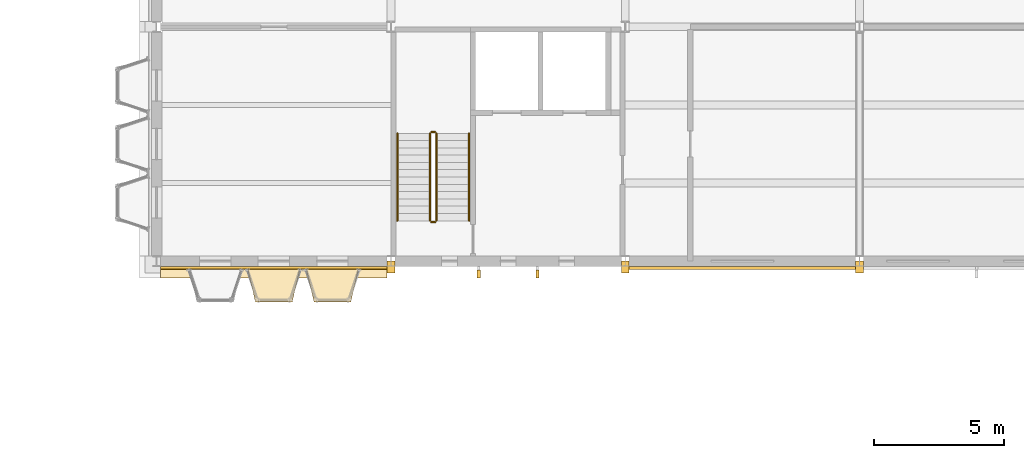
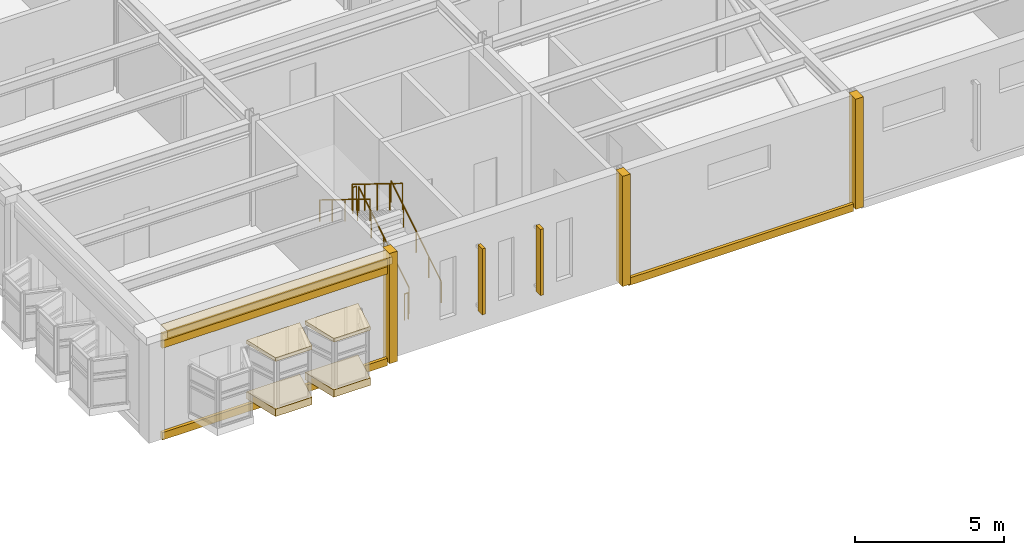
# One storey, part 133 of 153: 12 coverings, 6 railings, 2 shading devices.
"""IFC4 building model written with IfcOpenShell, lengths in metres."""

from ifc_helpers import new_model, si_unit, direction, frame, origin, origin_2d, place, context, subcontext, project, spatial, polyline, rectangle, circle, outline, extrude, material, layer, layer_set, type_object, element, save


model = new_model("IFC4")

# Units and contexts
model_context = context("Model", 3, precision=1e-05, world=origin(), true_north=direction((0.0, 1.0)))
body_context = subcontext(model_context, "Body", "Model", "MODEL_VIEW")
ifc_project = project(units=[si_unit("LENGTHUNIT", "METRE"), si_unit("AREAUNIT", "SQUARE_METRE"), si_unit("VOLUMEUNIT", "CUBIC_METRE"), si_unit("PLANEANGLEUNIT", "RADIAN"), si_unit("MASSUNIT", "GRAM", prefix="KILO")], contexts=[model_context])

# Site, building, storey
site_placement = place(None, origin())
site = spatial("IfcSite", under=ifc_project, at=site_placement, CompositionType="ELEMENT")
building_placement = place(site_placement, origin())
building = spatial("IfcBuilding", under=site, at=building_placement, Name="Kallimachos Central Library", CompositionType="ELEMENT")
storey_placement = place(building_placement, frame((0.0, 0.0, 5.39990234375)))
storey = spatial("IfcBuildingStorey", under=building, at=storey_placement, Name="L01", CompositionType="ELEMENT", Elevation=5.39990234375)

# Coverings
ifc_material_1 = material(Name="Glazed ceramic frieze, green")
ifc_layer_1 = layer(ifc_material_1, 0.10009765625)
ifc_layer_set_1 = layer_set([ifc_layer_1], Name="Glazed ceramic frieze, green")
covering_type_1 = type_object("IfcCoveringType", Name="Glazed ceramic frieze, green", PredefinedType="CLADDING", material=ifc_layer_set_1)
covering_1_placement = place(storey_placement, frame((70.0, 17.75, 3.8798828125), z_axis=(0.0, 0.0, 1.0), x_axis=(1.0, 0.0, 0.0)))
element("IfcCovering", 1, at=covering_1_placement, inside=storey, type_object=covering_type_1, Name="Glazed ceramic frieze, green -L01-010", PredefinedType="CLADDING", context=body_context, shape_type="SweptSolid", body=[
    extrude(rectangle(XDim=8.699951171875, YDim=0.10009765625, at=origin_2d()), origin(), (0.0, 0.0, 1.0), 0.300048828125),
])
ifc_material_2 = material(Name="Glazed ceramic frieze, ochre")
ifc_layer_2 = layer(ifc_material_2, 0.10009765625)
ifc_layer_set_2 = layer_set([ifc_layer_2], Name="Glazed ceramic frieze, ochre")
covering_type_2 = type_object("IfcCoveringType", Name="Glazed ceramic frieze, ochre", PredefinedType="CLADDING", material=ifc_layer_set_2)
covering_2_placement = place(storey_placement, frame((70.0, 17.75, 3.580078125), z_axis=(0.0, 0.0, 1.0), x_axis=(1.0, 0.0, 0.0)))
element("IfcCovering", 2, at=covering_2_placement, inside=storey, type_object=covering_type_2, Name="Glazed ceramic frieze, ochre -L01-010", PredefinedType="CLADDING", context=body_context, shape_type="SweptSolid", body=[
    extrude(rectangle(XDim=8.699951171875, YDim=0.10009765625, at=origin_2d()), origin(), (0.0, 0.0, 1.0), 0.300048828125),
])

# Railings
ifc_material_3 = material(Name="Steel S355J2", Category="steel")
railing_type_1 = type_object("IfcRailingType", Name="Stair handrail 900", PredefinedType="HANDRAIL", material=ifc_material_3)
railing_1_placement = place(storey_placement, frame((77.5, 19.550048828125, 0.173095703125)))
element("IfcRailing", 3, at=railing_1_placement, inside=storey, type_object=railing_type_1, Name="L01 ST13 stair handrail 1", PredefinedType="HANDRAIL", context=body_context, shape_type="SweptSolid", body=[
    extrude(circle(Radius=0.02392578125, at=origin_2d()), frame((0.0, 0.0, 0.8759765625), z_axis=(0.0, 0.850606129759, 0.525803396734), x_axis=(-1.0, 0.0, 0.0)), (0.0, 0.0, 1.0), 3.949951171875),
    extrude(circle(Radius=0.02099609375, at=origin_2d()), origin(), (0.0, 0.0, 1.0), 0.851806640625),
    extrude(circle(Radius=0.02099609375, at=origin_2d()), frame((0.0, 0.83984375, 0.519287109375)), (0.0, 0.0, 1.0), 0.851806640625),
    extrude(circle(Radius=0.02099609375, at=origin_2d()), frame((0.0, 1.679931640625, 1.03857421875)), (0.0, 0.0, 1.0), 0.851806640625),
    extrude(circle(Radius=0.02099609375, at=origin_2d()), frame((0.0, 2.52001953125, 1.5576171875)), (0.0, 0.0, 1.0), 0.851806640625),
    extrude(circle(Radius=0.02099609375, at=origin_2d()), frame((0.0, 3.35986328125, 2.076904296875)), (0.0, 0.0, 1.0), 0.851806640625),
])
railing_2_placement = place(storey_placement, frame((74.75, 22.909912109375, 2.423095703125)))
element("IfcRailing", 4, at=railing_2_placement, inside=storey, type_object=railing_type_1, Name="L01 ST13 stair handrail 2", PredefinedType="HANDRAIL", context=body_context, shape_type="SweptSolid", body=[
    extrude(circle(Radius=0.02392578125, at=origin_2d()), frame((0.0, 0.0, 0.8759765625), z_axis=(0.0, -0.850606129759, 0.525803396734), x_axis=(1.0, 0.0, 0.0)), (0.0, 0.0, 1.0), 3.949951171875),
    extrude(circle(Radius=0.02099609375, at=origin_2d()), origin(), (0.0, 0.0, 1.0), 0.851806640625),
    extrude(circle(Radius=0.02099609375, at=origin_2d()), frame((0.0, -0.83984375, 0.519287109375)), (0.0, 0.0, 1.0), 0.851806640625),
    extrude(circle(Radius=0.02099609375, at=origin_2d()), frame((0.0, -1.679931640625, 1.03857421875)), (0.0, 0.0, 1.0), 0.851806640625),
    extrude(circle(Radius=0.02099609375, at=origin_2d()), frame((0.0, -2.52001953125, 1.5576171875)), (0.0, 0.0, 1.0), 0.851806640625),
    extrude(circle(Radius=0.02099609375, at=origin_2d()), frame((0.0, -3.35986328125, 2.076904296875)), (0.0, 0.0, 1.0), 0.851806640625),
])

# Coverings
ifc_material_4 = material(Name="Pentelic marble attic moulding", Category="masonry")
ifc_layer_3 = layer(ifc_material_4, 0.1201171875)
ifc_layer_set_3 = layer_set([ifc_layer_3], Name="Stone attic moulding 300")
covering_type_3 = type_object("IfcCoveringType", Name="Stone attic moulding 300", PredefinedType="MOLDING", material=ifc_layer_set_3)
covering_3_placement = place(storey_placement, frame((70.0, 17.739990234375, -0.14990234375), z_axis=(0.0, 0.0, 1.0), x_axis=(1.0, 0.0, 0.0)))
element("IfcCovering", 5, at=covering_3_placement, inside=storey, type_object=covering_type_3, Name="Stone attic moulding 300 -L01-010", PredefinedType="MOLDING", context=body_context, shape_type="SweptSolid", body=[
    extrude(rectangle(XDim=8.699951171875, YDim=0.1201171875, at=origin_2d()), origin(), (0.0, 0.0, 1.0), 0.300048828125),
])
ifc_material_5 = material(Name="Pentelic marble cornice", Category="masonry")
ifc_layer_4 = layer(ifc_material_5, 0.449951171875)
ifc_layer_set_4 = layer_set([ifc_layer_4], Name="Stone cornice 450")
covering_type_4 = type_object("IfcCoveringType", Name="Stone cornice 450", PredefinedType="MOLDING", material=ifc_layer_set_4)
covering_4_placement = place(storey_placement, frame((70.0, 17.574951171875, 4.2001953125), z_axis=(0.0, 0.0, 1.0), x_axis=(1.0, 0.0, 0.0)))
element("IfcCovering", 6, at=covering_4_placement, inside=storey, type_object=covering_type_4, Name="Stone cornice 450 -L01-010", PredefinedType="MOLDING", context=body_context, shape_type="SweptSolid", body=[
    extrude(rectangle(XDim=8.699951171875, YDim=0.449951171875, at=origin_2d()), origin(), (0.0, 0.0, 1.0), 0.300048828125),
])
ifc_material_6 = material(Name="Pentelic marble pilaster", Category="masonry")
ifc_layer_5 = layer(ifc_material_6, 0.25)
ifc_layer_set_5 = layer_set([ifc_layer_5], Name="Stone pilaster 250")
covering_type_5 = type_object("IfcCoveringType", Name="Stone pilaster 250", PredefinedType="CLADDING", material=ifc_layer_set_5)
for number, where, z_axis, x_axis, name in (
    (7, (74.5, 17.77490234375, 0.0), (0.0, 0.0, 1.0), (1.0, 0.0, 0.0), "Stone pilaster 250 -L01-010"),
    (8, (83.5, 17.77490234375, 0.0), (0.0, 0.0, 1.0), (1.0, 0.0, 0.0), "Stone pilaster 250 -L01-011"),
    (9, (92.5, 17.77490234375, 0.0), (0.0, 0.0, 1.0), (1.0, 0.0, 0.0), "Stone pilaster 250 -L01-012"),
):
    element("IfcCovering", number, at=place(storey_placement, frame(where, z_axis=z_axis, x_axis=x_axis)), inside=storey, type_object=covering_type_5, Name=name, PredefinedType="CLADDING", context=body_context, shape_type="SweptSolid", body=[
        extrude(rectangle(XDim=0.300048828125, YDim=0.449951171875, at=origin_2d()), origin(), (0.0, 0.0, 1.0), 4.5),
    ])
ifc_material_7 = material(Name="Pentelic marble string course", Category="masonry")
ifc_layer_6 = layer(ifc_material_7, 0.1201171875)
ifc_layer_set_6 = layer_set([ifc_layer_6], Name="Stone string course 300")
covering_type_6 = type_object("IfcCoveringType", Name="Stone string course 300", PredefinedType="MOLDING", material=ifc_layer_set_6)
covering_5_placement = place(storey_placement, frame((88.0, 17.739990234375, -0.14990234375), z_axis=(0.0, 0.0, 1.0), x_axis=(1.0, 0.0, 0.0)))
element("IfcCovering", 10, at=covering_5_placement, inside=storey, type_object=covering_type_6, Name="Stone string course 300 -L01-012", PredefinedType="MOLDING", context=body_context, shape_type="SweptSolid", body=[
    extrude(rectangle(XDim=8.699951171875, YDim=0.1201171875, at=origin_2d()), origin(), (0.0, 0.0, 1.0), 0.300048828125),
])

# Shading devices
ifc_material_8 = material(Name="Pentelic marble fin", Category="masonry")
ifc_layer_7 = layer(ifc_material_8, 0.1201171875)
ifc_layer_set_7 = layer_set([ifc_layer_7], Name="Stone sun-shade fin 120")
shading_device_type = type_object("IfcShadingDeviceType", Name="Stone sun-shade fin 120", PredefinedType="USERDEFINED", material=ifc_layer_set_7)
for number, where, z_axis, x_axis, name in (
    (11, (77.875, 17.5, 0.89990234375), (0.0, 0.0, 1.0), (1.0, 0.0, 0.0), "Stone sun-shade fin 120 -L01-011"),
    (12, (80.125, 17.5, 0.89990234375), (0.0, 0.0, 1.0), (1.0, 0.0, 0.0), "Stone sun-shade fin 120 -L01-011"),
):
    element("IfcShadingDevice", number, at=place(storey_placement, frame(where, z_axis=z_axis, x_axis=x_axis)), inside=storey, type_object=shading_device_type, Name=name, ObjectType="FIN", PredefinedType="USERDEFINED", context=body_context, shape_type="SweptSolid", body=[
        extrude(rectangle(XDim=0.1201171875, YDim=0.300048828125, at=origin_2d()), origin(), (0.0, 0.0, 1.0), 2.699951171875),
    ])

# Coverings
ifc_material_9 = material(Name="Lead-coated copper sheet")
ifc_layer_8 = layer(ifc_material_9, 0.14990234375)
ifc_layer_set_8 = layer_set([ifc_layer_8], Name="Tribune bay roof cap 150")
covering_type_7 = type_object("IfcCoveringType", Name="Tribune bay roof cap 150", PredefinedType="ROOFING", material=ifc_layer_set_8)
covering_6_placement = place(storey_placement, frame((0.0, 0.0, 2.550048828125)))
element("IfcCovering", 13, at=covering_6_placement, inside=storey, type_object=covering_type_7, Name="Tribune bay roof cap", PredefinedType="ROOFING", context=body_context, shape_type="SweptSolid", body=[
    extrude(outline(polyline([(68.97509765625, 17.800048828125), (71.02490234375, 17.800048828125), (70.705078125, 16.419921875), (69.294921875, 16.419921875), (68.97509765625, 17.800048828125)])), origin(), (0.0, 0.0, 1.0), 0.150146484375),
])
covering_7_placement = place(storey_placement, frame((0.0, 0.0, 2.550048828125)))
element("IfcCovering", 14, at=covering_7_placement, inside=storey, type_object=covering_type_7, Name="Tribune bay roof cap", PredefinedType="ROOFING", context=body_context, shape_type="SweptSolid", body=[
    extrude(outline(polyline([(71.22509765625, 17.800048828125), (73.27490234375, 17.800048828125), (72.955078125, 16.419921875), (71.544921875, 16.419921875), (71.22509765625, 17.800048828125)])), origin(), (0.0, 0.0, 1.0), 0.150146484375),
])
ifc_material_10 = material(Name="Pentelic marble tribune base", Category="masonry")
ifc_layer_9 = layer(ifc_material_10, 0.300048828125)
ifc_layer_set_9 = layer_set([ifc_layer_9], Name="Tribune bay stone base 300")
covering_type_8 = type_object("IfcCoveringType", Name="Tribune bay stone base 300", PredefinedType="MOLDING", material=ifc_layer_set_9)
covering_8_placement = place(storey_placement, frame((0.0, 0.0, 0.300048828125)))
element("IfcCovering", 15, at=covering_8_placement, inside=storey, type_object=covering_type_8, Name="Tribune bay base", PredefinedType="MOLDING", context=body_context, shape_type="SweptSolid", body=[
    extrude(outline(polyline([(68.97509765625, 17.800048828125), (71.02490234375, 17.800048828125), (70.705078125, 16.419921875), (69.294921875, 16.419921875), (68.97509765625, 17.800048828125)])), origin(), (0.0, 0.0, 1.0), 0.300048828125),
])
covering_9_placement = place(storey_placement, frame((0.0, 0.0, 0.300048828125)))
element("IfcCovering", 16, at=covering_9_placement, inside=storey, type_object=covering_type_8, Name="Tribune bay base", PredefinedType="MOLDING", context=body_context, shape_type="SweptSolid", body=[
    extrude(outline(polyline([(71.22509765625, 17.800048828125), (73.27490234375, 17.800048828125), (72.955078125, 16.419921875), (71.544921875, 16.419921875), (71.22509765625, 17.800048828125)])), origin(), (0.0, 0.0, 1.0), 0.300048828125),
])

# Railings
ifc_material_11 = material(Name="Steel S355J2", Category="steel")
railing_type_2 = type_object("IfcRailingType", Name="Wrought-iron guard 1100", PredefinedType="GUARDRAIL", material=ifc_material_11)
railing_3_placement = place(storey_placement, frame((76.25, 19.550048828125, 0.173095703125)))
element("IfcRailing", 17, at=railing_3_placement, inside=storey, type_object=railing_type_2, Name="L01 ST13 stair guard 1", PredefinedType="GUARDRAIL", context=body_context, shape_type="SweptSolid", body=[
    extrude(circle(Radius=0.02392578125, at=origin_2d()), frame((0.0, 0.0, 1.076171875), z_axis=(0.0, 0.850606129759, 0.525803396734), x_axis=(-1.0, 0.0, 0.0)), (0.0, 0.0, 1.0), 3.949951171875),
    extrude(circle(Radius=0.02099609375, at=origin_2d()), origin(), (0.0, 0.0, 1.0), 1.052001953125),
    extrude(circle(Radius=0.02099609375, at=origin_2d()), frame((0.0, 0.83984375, 0.519287109375)), (0.0, 0.0, 1.0), 1.052001953125),
    extrude(circle(Radius=0.02099609375, at=origin_2d()), frame((0.0, 1.679931640625, 1.03857421875)), (0.0, 0.0, 1.0), 1.052001953125),
    extrude(circle(Radius=0.02099609375, at=origin_2d()), frame((0.0, 2.52001953125, 1.5576171875)), (0.0, 0.0, 1.0), 1.052001953125),
    extrude(circle(Radius=0.02099609375, at=origin_2d()), frame((0.0, 3.35986328125, 2.076904296875)), (0.0, 0.0, 1.0), 1.052001953125),
])
railing_4_placement = place(storey_placement, frame((76.199951171875, 22.9599609375, 2.25)))
element("IfcRailing", 18, at=railing_4_placement, inside=storey, type_object=railing_type_2, Name="L01 ST13 stair guard 2", PredefinedType="GUARDRAIL", context=body_context, shape_type="SweptSolid", body=[
    extrude(circle(Radius=0.02392578125, at=origin_2d()), frame((0.0, 0.0, 1.076171875), z_axis=(-1.0, 0.0, 0.0), x_axis=(0.0, -1.0, 0.0)), (0.0, 0.0, 1.0), 0.14990234375),
    extrude(circle(Radius=0.02099609375, at=origin_2d()), origin(), (0.0, 0.0, 1.0), 1.052001953125),
    extrude(circle(Radius=0.02099609375, at=origin_2d()), frame((-0.14990234375, 0.0, 0.0)), (0.0, 0.0, 1.0), 1.052001953125),
])
railing_5_placement = place(storey_placement, frame((76.0, 22.909912109375, 2.423095703125)))
element("IfcRailing", 19, at=railing_5_placement, inside=storey, type_object=railing_type_2, Name="L01 ST13 stair guard 3", PredefinedType="GUARDRAIL", context=body_context, shape_type="SweptSolid", body=[
    extrude(circle(Radius=0.02392578125, at=origin_2d()), frame((0.0, 0.0, 1.076171875), z_axis=(0.0, -0.850606129759, 0.525803396734), x_axis=(1.0, 0.0, 0.0)), (0.0, 0.0, 1.0), 3.949951171875),
    extrude(circle(Radius=0.02099609375, at=origin_2d()), origin(), (0.0, 0.0, 1.0), 1.052001953125),
    extrude(circle(Radius=0.02099609375, at=origin_2d()), frame((0.0, -0.83984375, 0.519287109375)), (0.0, 0.0, 1.0), 1.052001953125),
    extrude(circle(Radius=0.02099609375, at=origin_2d()), frame((0.0, -1.679931640625, 1.03857421875)), (0.0, 0.0, 1.0), 1.052001953125),
    extrude(circle(Radius=0.02099609375, at=origin_2d()), frame((0.0, -2.52001953125, 1.5576171875)), (0.0, 0.0, 1.0), 1.052001953125),
    extrude(circle(Radius=0.02099609375, at=origin_2d()), frame((0.0, -3.35986328125, 2.076904296875)), (0.0, 0.0, 1.0), 1.052001953125),
])
railing_6_placement = place(storey_placement, frame((76.199951171875, 19.5, 0.0)))
element("IfcRailing", 20, at=railing_6_placement, inside=storey, type_object=railing_type_2, Name="L01 ST13 stair guard 4", PredefinedType="GUARDRAIL", context=body_context, shape_type="SweptSolid", body=[
    extrude(circle(Radius=0.02392578125, at=origin_2d()), frame((0.0, 0.0, 1.076171875), z_axis=(-1.0, 0.0, 0.0), x_axis=(0.0, -1.0, 0.0)), (0.0, 0.0, 1.0), 0.14990234375),
    extrude(circle(Radius=0.02099609375, at=origin_2d()), origin(), (0.0, 0.0, 1.0), 1.052001953125),
    extrude(circle(Radius=0.02099609375, at=origin_2d()), frame((-0.14990234375, 0.0, 0.0)), (0.0, 0.0, 1.0), 1.052001953125),
])

save(model, "model.ifc")
